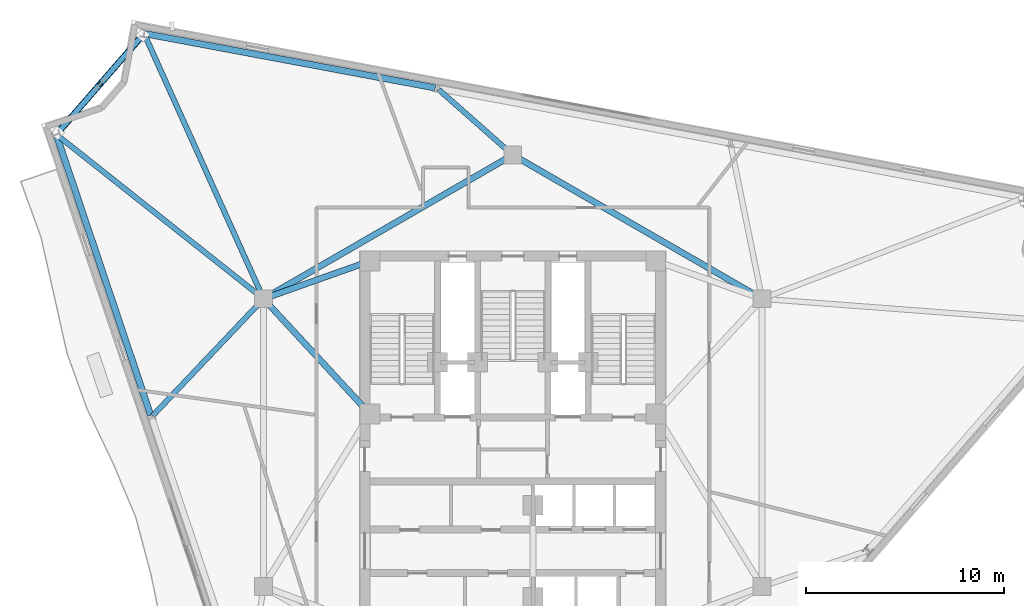
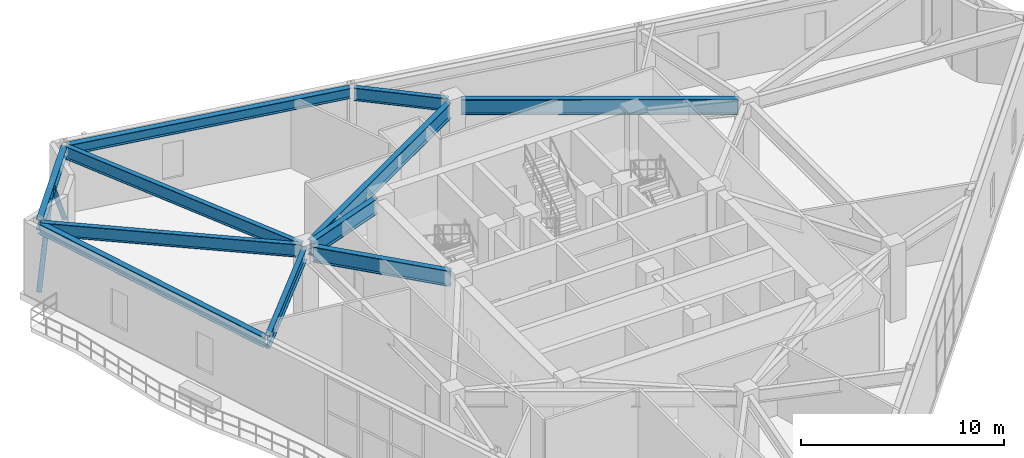
# One storey, part 6 of 15: 11 beams, 2 members.
"""IFC4 building model written with IfcOpenShell, lengths in metres."""

from ifc_helpers import new_model, si_unit, direction, frame, origin, origin_2d, place, context, subcontext, project, spatial, hollow_circle, i_section, extrude, material, material_profile, profile_set, type_object, element, save


model = new_model("IFC4")

# Units and contexts
model_context = context("Model", 3, precision=1e-05, world=origin(), true_north=direction((0.0, 1.0)))
body_context = subcontext(model_context, "Body", "Model", "MODEL_VIEW")
ifc_project = project(units=[si_unit("LENGTHUNIT", "METRE"), si_unit("AREAUNIT", "SQUARE_METRE"), si_unit("VOLUMEUNIT", "CUBIC_METRE"), si_unit("PLANEANGLEUNIT", "RADIAN"), si_unit("MASSUNIT", "GRAM", prefix="KILO")], contexts=[model_context])

# Site, building, storey
site_placement = place(None, origin())
site = spatial("IfcSite", under=ifc_project, at=site_placement, CompositionType="ELEMENT")
building_placement = place(site_placement, origin())
building = spatial("IfcBuilding", under=site, at=building_placement, Name="Apsidion Concourse Tower", CompositionType="ELEMENT")
storey_placement = place(building_placement, frame((0.0, 0.0, 260.89990234375)))
storey = spatial("IfcBuildingStorey", under=building, at=storey_placement, Name="L61", CompositionType="ELEMENT", Elevation=260.89990234375)

# Beams
ifc_material_1 = material(Name="Structural steel ASTM A992 Grade 50", Category="steel")
ifc_material_profile_1 = material_profile(ifc_material_1, i_section(OverallWidth=0.31005859375, OverallDepth=0.931884765625, WebThickness=0.02099609375, FlangeThickness=0.034423828125, at=origin_2d()), Name="W36X210")
ifc_profile_set_1 = profile_set([ifc_material_profile_1], Name="Structural steel ASTM A992 Grade 50")
beam_type_1 = type_object("IfcBeamType", Name="BM-G-W36", PredefinedType="USERDEFINED", material=ifc_profile_set_1)
beam_1_placement = place(storey_placement, frame((-12.28857421875, 6.956298828125, 3.884033203125), z_axis=(0.678712876106, -0.73440372535, 0.0), x_axis=(0.73440372535, 0.678712876106, 0.0)))
element("IfcBeam", 1, at=beam_1_placement, inside=storey, type_object=beam_type_1, Name="L61 Core Coupling Girder IC5-SC6", ObjectType="GIRDER", PredefinedType="USERDEFINED", context=body_context, shape_type="SweptSolid", body=[
    extrude(i_section(OverallWidth=0.31005859375, OverallDepth=0.931884765625, WebThickness=0.02099609375, FlangeThickness=0.034423828125, at=origin_2d()), origin(), (0.0, 0.0, 1.0), 7.097412109375),
])
beam_2_placement = place(storey_placement, frame((-12.18310546875, 7.383544921875, 3.884033203125), z_axis=(0.942533844539, 0.334110688094, 0.0), x_axis=(-0.334110688094, 0.942533844539, 0.0)))
element("IfcBeam", 2, at=beam_2_placement, inside=storey, type_object=beam_type_1, Name="L61 Core Coupling Girder IC5-SC5", ObjectType="GIRDER", PredefinedType="USERDEFINED", context=body_context, shape_type="SweptSolid", body=[
    extrude(i_section(OverallWidth=0.31005859375, OverallDepth=0.931884765625, WebThickness=0.02099609375, FlangeThickness=0.034423828125, at=origin_2d()), origin(), (0.0, 0.0, 1.0), 4.886962890625),
])
for number, where, z_axis, x_axis, name in (
    (3, (-12.213623046875, 7.449951171875, 3.884033203125), (0.866070471464, 0.499921932364, 0.0), (-0.499921932364, 0.866070471464, 0.0), "L61 Core Coupling Girder IC5-IC4"),
    (4, (0.346435546875, 14.300048828125, 3.884033203125), (0.866070471464, -0.499921932364, 0.0), (0.499921932364, 0.866070471464, 0.0), "L61 Core Coupling Girder IC4-IC3"),
):
    element("IfcBeam", number, at=place(storey_placement, frame(where, z_axis=z_axis, x_axis=x_axis)), inside=storey, type_object=beam_type_1, Name=name, ObjectType="GIRDER", PredefinedType="USERDEFINED", context=body_context, shape_type="SweptSolid", body=[
        extrude(i_section(OverallWidth=0.31005859375, OverallDepth=0.931884765625, WebThickness=0.02099609375, FlangeThickness=0.034423828125, at=origin_2d()), origin(), (0.0, 0.0, 1.0), 13.702392578125),
    ])
ifc_material_profile_2 = material_profile(ifc_material_1, i_section(OverallWidth=0.324951171875, OverallDepth=0.616943359375, WebThickness=0.013916015625, FlangeThickness=0.021484375, at=origin_2d()), Name="W24X117")
ifc_profile_set_2 = profile_set([ifc_material_profile_2], Name="Structural steel ASTM A992 Grade 50")
beam_type_2 = type_object("IfcBeamType", Name="BM-SP-W24", PredefinedType="SPANDREL", material=ifc_profile_set_2)
beam_3_placement = place(storey_placement, frame((-22.97265625, 15.436279296875, 4.04150390625), z_axis=(0.318681523158, -0.947861850059, 0.0), x_axis=(0.947861850059, 0.318681523158, 0.0)))
element("IfcBeam", 5, at=beam_3_placement, inside=storey, type_object=beam_type_2, Name="L61 Perimeter Spandrel Girder SP-01", PredefinedType="SPANDREL", context=body_context, shape_type="SweptSolid", body=[
    extrude(i_section(OverallWidth=0.324951171875, OverallDepth=0.616943359375, WebThickness=0.013916015625, FlangeThickness=0.021484375, at=origin_2d()), origin(), (0.0, 0.0, 1.0), 14.82861328125),
])
beam_4_placement = place(storey_placement, frame((-3.90673828125, 17.877197265625, 4.04150390625), z_axis=(-0.982990894844, 0.183654296586, 0.0), x_axis=(-0.183654296586, -0.982990894844, 0.0)))
element("IfcBeam", 6, at=beam_4_placement, inside=storey, type_object=beam_type_2, Name="L61 Perimeter Spandrel Girder SP-11", PredefinedType="SPANDREL", context=body_context, shape_type="SweptSolid", body=[
    extrude(i_section(OverallWidth=0.324951171875, OverallDepth=0.616943359375, WebThickness=0.013916015625, FlangeThickness=0.021484375, at=origin_2d()), origin(), (0.0, 0.0, 1.0), 14.828857421875),
])
beam_5_placement = place(storey_placement, frame((-18.647216796875, 20.543701171875, 4.04150390625), z_axis=(-0.656065057343, -0.754704339814, 0.0), x_axis=(0.754704339814, -0.656065057343, 0.0)))
element("IfcBeam", 7, at=beam_5_placement, inside=storey, type_object=beam_type_2, Name="L61 Perimeter Spandrel Girder SP-12", PredefinedType="SPANDREL", context=body_context, shape_type="SweptSolid", body=[
    extrude(i_section(OverallWidth=0.324951171875, OverallDepth=0.616943359375, WebThickness=0.013916015625, FlangeThickness=0.021484375, at=origin_2d()), origin(), (0.0, 0.0, 1.0), 6.541748046875),
])
ifc_material_profile_3 = material_profile(ifc_material_1, i_section(OverallWidth=0.26806640625, OverallDepth=0.77001953125, WebThickness=0.015625, FlangeThickness=0.025390625, at=origin_2d()), Name="W30X132")
ifc_profile_set_3 = profile_set([ifc_material_profile_3], Name="Structural steel ASTM A992 Grade 50")
beam_type_3 = type_object("IfcBeamType", Name="BM-SP-W30", PredefinedType="SPANDREL", material=ifc_profile_set_3)
beam_6_placement = place(storey_placement, frame((-12.732421875, 7.38671875, 3.965087890625), z_axis=(-0.783584000329, 0.621285855648, 0.0), x_axis=(-0.621285855648, -0.783584000329, 0.0)))
element("IfcBeam", 8, at=beam_6_placement, inside=storey, type_object=beam_type_3, Name="L61 Radial Floor Girder RAD-01", PredefinedType="SPANDREL", context=body_context, shape_type="SweptSolid", body=[
    extrude(i_section(OverallWidth=0.26806640625, OverallDepth=0.77001953125, WebThickness=0.015625, FlangeThickness=0.025390625, at=origin_2d()), origin(), (0.0, 0.0, 1.0), 13.009033203125),
])
beam_7_placement = place(storey_placement, frame((-12.71142578125, 7.09033203125, 3.965087890625), z_axis=(-0.688064364837, -0.72564966054, 0.0), x_axis=(0.72564966054, -0.688064364837, 0.0)))
element("IfcBeam", 9, at=beam_7_placement, inside=storey, type_object=beam_type_3, Name="L61 Radial Floor Girder RAD-02", PredefinedType="SPANDREL", context=body_context, shape_type="SweptSolid", body=[
    extrude(i_section(OverallWidth=0.26806640625, OverallDepth=0.77001953125, WebThickness=0.015625, FlangeThickness=0.025390625, at=origin_2d()), origin(), (0.0, 0.0, 1.0), 7.898681640625),
])
beam_8_placement = place(storey_placement, frame((-0.1650390625, 14.6455078125, 3.965087890625), z_axis=(-0.749977100091, 0.661463792917, 0.0), x_axis=(-0.661463792917, -0.749977100091, 0.0)))
element("IfcBeam", 10, at=beam_8_placement, inside=storey, type_object=beam_type_3, Name="L61 Radial Floor Girder RAD-11", PredefinedType="SPANDREL", context=body_context, shape_type="SweptSolid", body=[
    extrude(i_section(OverallWidth=0.26806640625, OverallDepth=0.77001953125, WebThickness=0.015625, FlangeThickness=0.025390625, at=origin_2d()), origin(), (0.0, 0.0, 1.0), 4.758056640625),
])
beam_9_placement = place(storey_placement, frame((-12.650390625, 7.45068359375, 3.965087890625), z_axis=(-0.410678909967, 0.911780035375, 0.0), x_axis=(-0.911780035375, -0.410678909967, 0.0)))
element("IfcBeam", 11, at=beam_9_placement, inside=storey, type_object=beam_type_3, Name="L61 Radial Floor Girder RAD-12", PredefinedType="SPANDREL", context=body_context, shape_type="SweptSolid", body=[
    extrude(i_section(OverallWidth=0.26806640625, OverallDepth=0.77001953125, WebThickness=0.015625, FlangeThickness=0.025390625, at=origin_2d()), origin(), (0.0, 0.0, 1.0), 14.342529296875),
])

# Members
ifc_material_2 = material(Name="Structural steel ASTM A500 Grade C", Category="steel")
ifc_material_profile_4 = material_profile(ifc_material_2, hollow_circle(Radius=0.136474609375, WallThickness=0.01611328125, at=origin_2d()), Name="CHS273X16")
ifc_profile_set_4 = profile_set([ifc_material_profile_4], Name="Structural steel ASTM A500 Grade C")
member_type = type_object("IfcMemberType", Name="MB-BR-CHS273", PredefinedType="BRACE", material=ifc_profile_set_4)
member_1_placement = place(storey_placement, frame((-18.647216796875, 20.543701171875, 0.0), z_axis=(-0.400151562398, -0.460288105508, 0.792473082848), x_axis=(0.754685861051, -0.656086313781, 0.0)))
element("IfcMember", 12, at=member_1_placement, inside=storey, type_object=member_type, Name="L61 Corner Step-Transfer Chevron Brace KN-3-1", PredefinedType="BRACE", context=body_context, shape_type="SweptSolid", body=[
    extrude(hollow_circle(Radius=0.136474609375, WallThickness=0.01611328125, at=origin_2d()), origin(), (0.0, 0.0, 1.0), 5.363037109375),
])
member_2_placement = place(storey_placement, frame((-22.93896484375, 15.606689453125, 0.0), z_axis=(0.400113327135, 0.460296490006, 0.792487518348), x_axis=(-0.754722818883, 0.656043799344, 0.0)))
element("IfcMember", 13, at=member_2_placement, inside=storey, type_object=member_type, Name="L61 Corner Step-Transfer Chevron Brace KN-3-2", PredefinedType="BRACE", context=body_context, shape_type="SweptSolid", body=[
    extrude(hollow_circle(Radius=0.136474609375, WallThickness=0.01611328125, at=origin_2d()), origin(), (0.0, 0.0, 1.0), 5.36279296875),
])

save(model, "model.ifc")
